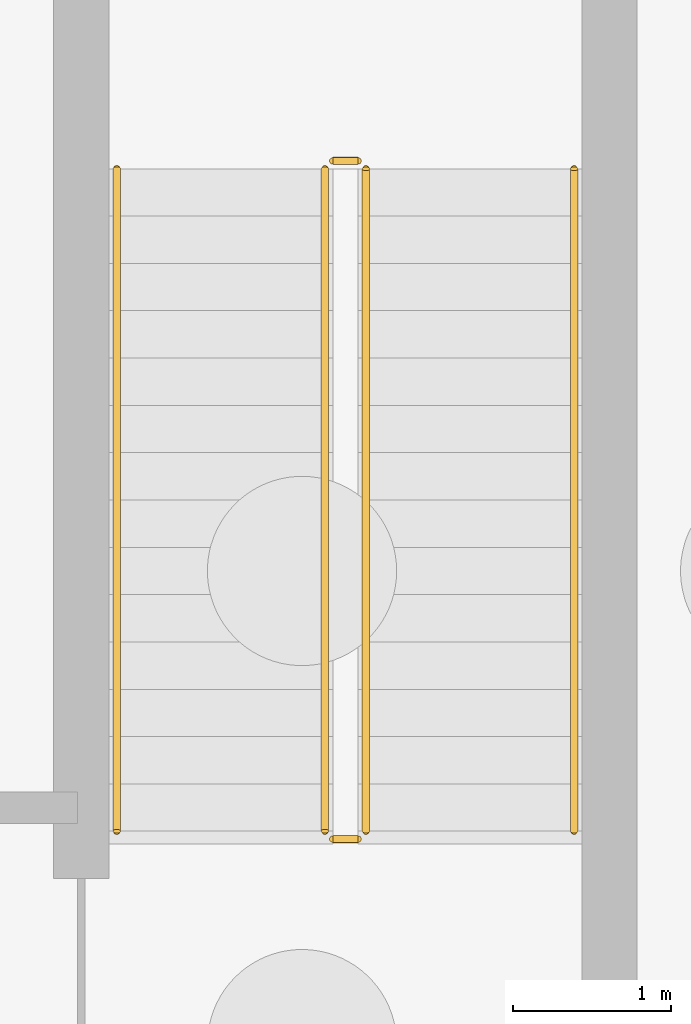
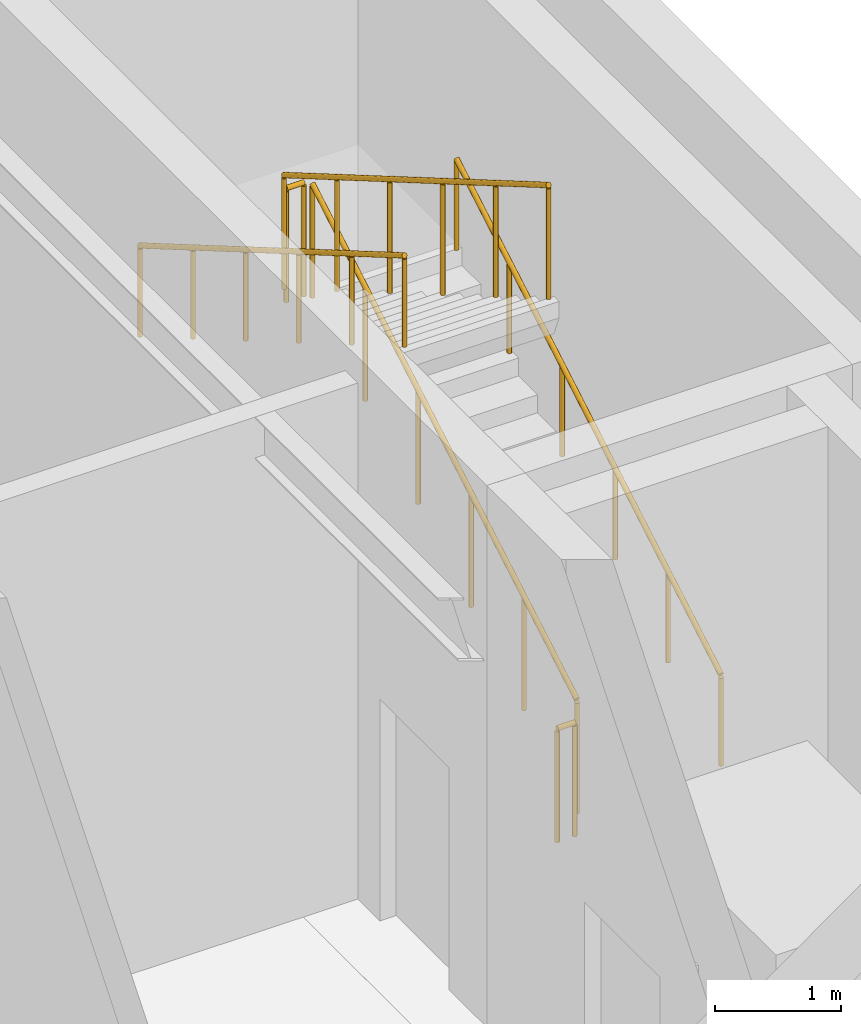
# One storey, part 54 of 55: 6 railings.
"""IFC4 building model written with IfcOpenShell, lengths in metres."""

from ifc_helpers import new_model, si_unit, direction, frame, origin, origin_2d, place, context, subcontext, project, spatial, circle, extrude, material, type_object, element, save


model = new_model("IFC4")

# Units and contexts
model_context = context("Model", 3, precision=1e-05, world=origin(), true_north=direction((0.0, 1.0)))
body_context = subcontext(model_context, "Body", "Model", "MODEL_VIEW")
ifc_project = project(units=[si_unit("LENGTHUNIT", "METRE"), si_unit("AREAUNIT", "SQUARE_METRE"), si_unit("VOLUMEUNIT", "CUBIC_METRE"), si_unit("PLANEANGLEUNIT", "RADIAN"), si_unit("MASSUNIT", "GRAM", prefix="KILO")], contexts=[model_context])

# Site, building, storey
site_placement = place(None, origin())
site = spatial("IfcSite", under=ifc_project, at=site_placement, CompositionType="ELEMENT")
building_placement = place(site_placement, origin())
building = spatial("IfcBuilding", under=site, at=building_placement, Name="Almandine Court Research Institute", CompositionType="ELEMENT")
storey_placement = place(building_placement, frame((0.0, 0.0, -5.25)))
storey = spatial("IfcBuildingStorey", under=building, at=storey_placement, Name="B1", CompositionType="ELEMENT", Elevation=-5.25)

# Railings
ifc_material_1 = material(Name="Powder-Coated Steel Stair and Atrium Balustrade", Category="steel")
railing_type_1 = type_object("IfcRailingType", Name="Rail-GUARD-INT", PredefinedType="BALUSTRADE", material=ifc_material_1)
railing_1_placement = place(storey_placement, frame((171.429931640625, 50.85009765625, 0.175048828125)))
element("IfcRailing", 1, at=railing_1_placement, inside=storey, type_object=railing_type_1, Name="B1 ST-08 stair guard 1", PredefinedType="BALUSTRADE", context=body_context, shape_type="SweptSolid", body=[
    extrude(circle(Radius=0.02392578125, at=origin_2d()), frame((0.0, 0.0, 1.09619140625), z_axis=(0.0, 0.863780722019, 0.50386790359), x_axis=(-1.0, 0.0, 0.0)), (0.0, 0.0, 1.0), 4.8623046875),
    extrude(circle(Radius=0.02099609375, at=origin_2d()), origin(), (0.0, 0.0, 1.0), 1.072021484375),
    extrude(circle(Radius=0.02099609375, at=origin_2d()), frame((0.0, 0.840087890625, 0.489990234375)), (0.0, 0.0, 1.0), 1.072021484375),
    extrude(circle(Radius=0.02099609375, at=origin_2d()), frame((0.0, 1.679931640625, 0.97998046875)), (0.0, 0.0, 1.0), 1.072021484375),
    extrude(circle(Radius=0.02099609375, at=origin_2d()), frame((0.0, 2.52001953125, 1.469970703125)), (0.0, 0.0, 1.0), 1.072021484375),
    extrude(circle(Radius=0.02099609375, at=origin_2d()), frame((0.0, 3.35986328125, 1.9599609375)), (0.0, 0.0, 1.0), 1.072021484375),
    extrude(circle(Radius=0.02099609375, at=origin_2d()), frame((0.0, 4.199951171875, 2.449951171875)), (0.0, 0.0, 1.0), 1.072021484375),
])
railing_2_placement = place(storey_placement, frame((171.3798828125, 55.10009765625, 2.625)))
element("IfcRailing", 2, at=railing_2_placement, inside=storey, type_object=railing_type_1, Name="B1 ST-08 stair guard 2", PredefinedType="BALUSTRADE", context=body_context, shape_type="SweptSolid", body=[
    extrude(circle(Radius=0.02392578125, at=origin_2d()), frame((0.0, 0.0, 1.09619140625), z_axis=(-1.0, 0.0, 0.0), x_axis=(0.0, -1.0, 0.0)), (0.0, 0.0, 1.0), 0.159912109375),
    extrude(circle(Radius=0.02099609375, at=origin_2d()), origin(), (0.0, 0.0, 1.0), 1.072021484375),
    extrude(circle(Radius=0.02099609375, at=origin_2d()), frame((-0.159912109375, 0.0, 0.0)), (0.0, 0.0, 1.0), 1.072021484375),
])
railing_3_placement = place(storey_placement, frame((171.169921875, 55.050048828125, 2.800048828125)))
element("IfcRailing", 3, at=railing_3_placement, inside=storey, type_object=railing_type_1, Name="B1 ST-08 stair guard 3", PredefinedType="BALUSTRADE", context=body_context, shape_type="SweptSolid", body=[
    extrude(circle(Radius=0.02392578125, at=origin_2d()), frame((0.0, 0.0, 1.09619140625), z_axis=(0.0, -0.863780722019, 0.50386790359), x_axis=(1.0, 0.0, 0.0)), (0.0, 0.0, 1.0), 4.8623046875),
    extrude(circle(Radius=0.02099609375, at=origin_2d()), origin(), (0.0, 0.0, 1.0), 1.072021484375),
    extrude(circle(Radius=0.02099609375, at=origin_2d()), frame((0.0, -0.840087890625, 0.489990234375)), (0.0, 0.0, 1.0), 1.072021484375),
    extrude(circle(Radius=0.02099609375, at=origin_2d()), frame((0.0, -1.679931640625, 0.97998046875)), (0.0, 0.0, 1.0), 1.072021484375),
    extrude(circle(Radius=0.02099609375, at=origin_2d()), frame((0.0, -2.52001953125, 1.469970703125)), (0.0, 0.0, 1.0), 1.072021484375),
    extrude(circle(Radius=0.02099609375, at=origin_2d()), frame((0.0, -3.35986328125, 1.9599609375)), (0.0, 0.0, 1.0), 1.072021484375),
    extrude(circle(Radius=0.02099609375, at=origin_2d()), frame((0.0, -4.199951171875, 2.449951171875)), (0.0, 0.0, 1.0), 1.072021484375),
])
railing_4_placement = place(storey_placement, frame((171.3798828125, 50.800048828125, 0.0)))
element("IfcRailing", 4, at=railing_4_placement, inside=storey, type_object=railing_type_1, Name="B1 ST-08 stair guard 4", PredefinedType="BALUSTRADE", context=body_context, shape_type="SweptSolid", body=[
    extrude(circle(Radius=0.02392578125, at=origin_2d()), frame((0.0, 0.0, 1.09619140625), z_axis=(-1.0, 0.0, 0.0), x_axis=(0.0, -1.0, 0.0)), (0.0, 0.0, 1.0), 0.159912109375),
    extrude(circle(Radius=0.02099609375, at=origin_2d()), origin(), (0.0, 0.0, 1.0), 1.072021484375),
    extrude(circle(Radius=0.02099609375, at=origin_2d()), frame((-0.159912109375, 0.0, 0.0)), (0.0, 0.0, 1.0), 1.072021484375),
])
ifc_material_2 = material(Name="Brushed Stainless Steel Wall Handrail", Category="steel")
railing_type_2 = type_object("IfcRailingType", Name="Rail-HAND-INT", PredefinedType="HANDRAIL", material=ifc_material_2)
railing_5_placement = place(storey_placement, frame((172.75, 50.85009765625, 0.175048828125)))
element("IfcRailing", 5, at=railing_5_placement, inside=storey, type_object=railing_type_2, Name="B1 ST-08 stair handrail 1", PredefinedType="HANDRAIL", context=body_context, shape_type="SweptSolid", body=[
    extrude(circle(Radius=0.02392578125, at=origin_2d()), frame((0.0, 0.0, 0.8759765625), z_axis=(0.0, 0.863780722019, 0.50386790359), x_axis=(-1.0, 0.0, 0.0)), (0.0, 0.0, 1.0), 4.8623046875),
    extrude(circle(Radius=0.02099609375, at=origin_2d()), origin(), (0.0, 0.0, 1.0), 0.851806640625),
    extrude(circle(Radius=0.02099609375, at=origin_2d()), frame((0.0, 0.840087890625, 0.489990234375)), (0.0, 0.0, 1.0), 0.851806640625),
    extrude(circle(Radius=0.02099609375, at=origin_2d()), frame((0.0, 1.679931640625, 0.97998046875)), (0.0, 0.0, 1.0), 0.851806640625),
    extrude(circle(Radius=0.02099609375, at=origin_2d()), frame((0.0, 2.52001953125, 1.469970703125)), (0.0, 0.0, 1.0), 0.851806640625),
    extrude(circle(Radius=0.02099609375, at=origin_2d()), frame((0.0, 3.35986328125, 1.9599609375)), (0.0, 0.0, 1.0), 0.851806640625),
    extrude(circle(Radius=0.02099609375, at=origin_2d()), frame((0.0, 4.199951171875, 2.449951171875)), (0.0, 0.0, 1.0), 0.851806640625),
])
railing_6_placement = place(storey_placement, frame((169.85009765625, 55.050048828125, 2.800048828125)))
element("IfcRailing", 6, at=railing_6_placement, inside=storey, type_object=railing_type_2, Name="B1 ST-08 stair handrail 2", PredefinedType="HANDRAIL", context=body_context, shape_type="SweptSolid", body=[
    extrude(circle(Radius=0.02392578125, at=origin_2d()), frame((0.0, 0.0, 0.8759765625), z_axis=(0.0, -0.863780722019, 0.50386790359), x_axis=(1.0, 0.0, 0.0)), (0.0, 0.0, 1.0), 4.8623046875),
    extrude(circle(Radius=0.02099609375, at=origin_2d()), origin(), (0.0, 0.0, 1.0), 0.851806640625),
    extrude(circle(Radius=0.02099609375, at=origin_2d()), frame((0.0, -0.840087890625, 0.489990234375)), (0.0, 0.0, 1.0), 0.851806640625),
    extrude(circle(Radius=0.02099609375, at=origin_2d()), frame((0.0, -1.679931640625, 0.97998046875)), (0.0, 0.0, 1.0), 0.851806640625),
    extrude(circle(Radius=0.02099609375, at=origin_2d()), frame((0.0, -2.52001953125, 1.469970703125)), (0.0, 0.0, 1.0), 0.851806640625),
    extrude(circle(Radius=0.02099609375, at=origin_2d()), frame((0.0, -3.35986328125, 1.9599609375)), (0.0, 0.0, 1.0), 0.851806640625),
    extrude(circle(Radius=0.02099609375, at=origin_2d()), frame((0.0, -4.199951171875, 2.449951171875)), (0.0, 0.0, 1.0), 0.851806640625),
])

save(model, "model.ifc")
